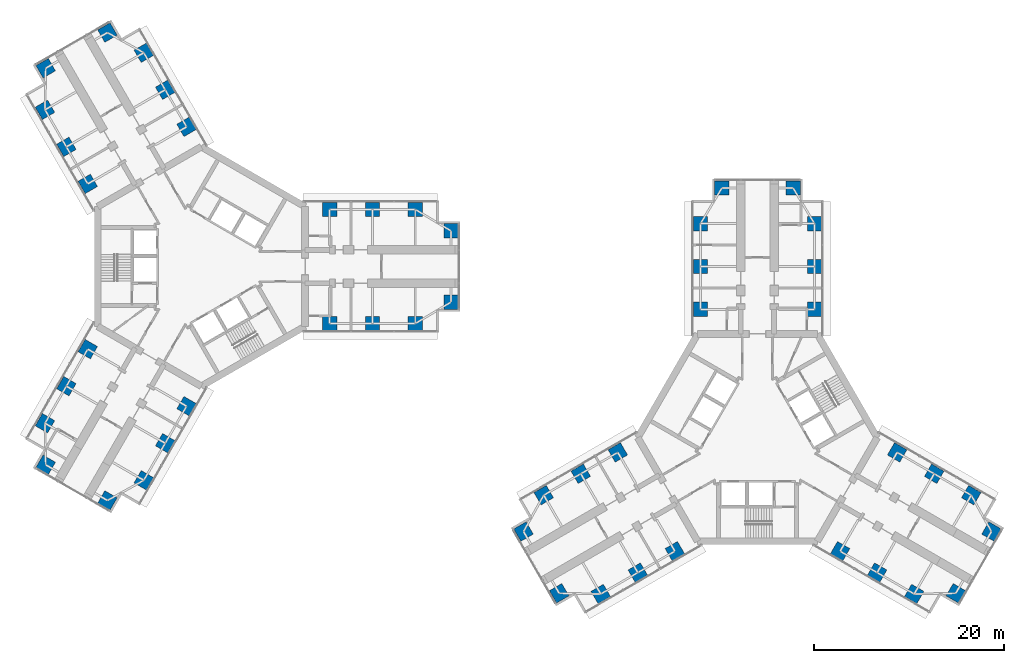
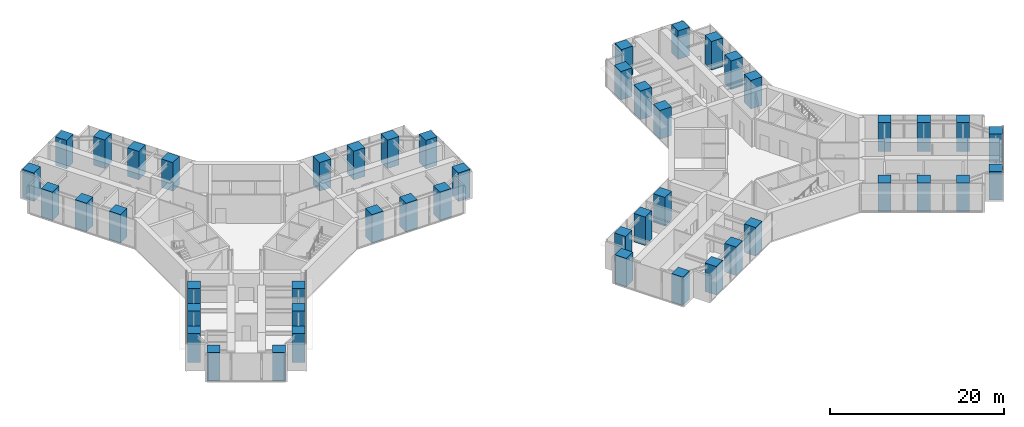
# One storey, part 1 of 23: 48 columns.
"""IFC4 building model written with IfcOpenShell, lengths in metres."""

from ifc_helpers import new_model, si_unit, direction, frame, origin, origin_2d, place, context, subcontext, project, spatial, rectangle, extrude, material, material_profile, profile_set, type_object, element, save


model = new_model("IFC4")

# Units and contexts
model_context = context("Model", 3, precision=1e-05, world=origin(), true_north=direction((0.0, 1.0)))
body_context = subcontext(model_context, "Body", "Model", "MODEL_VIEW")
ifc_project = project(units=[si_unit("LENGTHUNIT", "METRE"), si_unit("AREAUNIT", "SQUARE_METRE"), si_unit("VOLUMEUNIT", "CUBIC_METRE"), si_unit("PLANEANGLEUNIT", "RADIAN"), si_unit("MASSUNIT", "GRAM", prefix="KILO")], contexts=[model_context])

# Site, building, storey
site_placement = place(None, origin())
site = spatial("IfcSite", under=ifc_project, at=site_placement, CompositionType="ELEMENT")
building_placement = place(site_placement, origin())
building = spatial("IfcBuilding", under=site, at=building_placement, Name="Upepo Twin Towers", CompositionType="ELEMENT")
storey_placement = place(building_placement, frame((0.0, 0.0, 28.5)))
storey = spatial("IfcBuildingStorey", under=building, at=storey_placement, Name="L06", CompositionType="ELEMENT", Elevation=28.5)

# Columns
ifc_material = material(Name="Concrete C60/75", Category="concrete")
ifc_material_profile = material_profile(ifc_material, rectangle(XDim=1.5, YDim=1.5, at=origin_2d()), Name="RC 1500x1500")
ifc_profile_set = profile_set([ifc_material_profile], Name="Concrete C60/75")
column_type = type_object("IfcColumnType", Name="Tower column RC 1500x1500", PredefinedType="COLUMN", material=ifc_profile_set)
for number, where, z_axis, x_axis, name in (
    (1, (13.5, 6.0, 0.0), (0.0, 0.0, 1.0), (1.0, 0.0, 0.0), "T1 column AL135"),
    (2, (13.5, -6.0, 0.0), (0.0, 0.0, 1.0), (1.0, 0.0, 0.0), "T1 column AR135"),
    (3, (18.0, 6.0, 0.0), (0.0, 0.0, 1.0), (1.0, 0.0, 0.0), "T1 column AL180"),
    (4, (18.0, -6.0, 0.0), (0.0, 0.0, 1.0), (1.0, 0.0, 0.0), "T1 column AR180"),
    (5, (22.5, 6.0, 0.0), (0.0, 0.0, 1.0), (1.0, 0.0, 0.0), "T1 column AL225"),
    (6, (22.5, -6.0, 0.0), (0.0, 0.0, 1.0), (1.0, 0.0, 0.0), "T1 column AR225"),
    (7, (26.25, 3.75, 0.0), (0.0, 0.0, 1.0), (1.0, 0.0, 0.0), "T1 column ALN"),
    (8, (26.25, -3.75, 0.0), (0.0, 0.0, 1.0), (1.0, 0.0, 0.0), "T1 column ARN"),
    (9, (-11.946044921875, 8.69140625, 0.0), (0.0, 0.0, 1.0), (0.866025403784, 0.5, 0.0), "T1 column BL135"),
    (10, (-1.553955078125, 14.69140625, 0.0), (0.0, 0.0, 1.0), (0.866025403784, 0.5, 0.0), "T1 column BR135"),
    (11, (-14.196044921875, 12.58837890625, 0.0), (0.0, 0.0, 1.0), (0.866025403784, 0.5, 0.0), "T1 column BL180"),
    (12, (-3.803955078125, 18.58837890625, 0.0), (0.0, 0.0, 1.0), (0.866025403784, 0.5, 0.0), "T1 column BR180"),
    (13, (-16.446044921875, 16.485595703125, 0.0), (0.0, 0.0, 1.0), (0.866025403784, 0.5, 0.0), "T1 column BL225"),
    (14, (-6.053955078125, 22.485595703125, 0.0), (0.0, 0.0, 1.0), (0.866025403784, 0.5, 0.0), "T1 column BR225"),
    (15, (-16.37255859375, 20.858154296875, 0.0), (0.0, 0.0, 1.0), (0.866025403784, 0.5, 0.0), "T1 column BLN"),
    (16, (-9.87744140625, 24.608154296875, 0.0), (0.0, 0.0, 1.0), (0.866025403784, 0.5, 0.0), "T1 column BRN"),
    (17, (-1.553955078125, -14.69140625, 0.0), (0.0, 0.0, 1.0), (0.5, 0.866025403784, 0.0), "T1 column CL135"),
    (18, (-11.946044921875, -8.69140625, 0.0), (0.0, 0.0, 1.0), (0.5, 0.866025403784, 0.0), "T1 column CR135"),
    (19, (-3.803955078125, -18.58837890625, 0.0), (0.0, 0.0, 1.0), (0.5, 0.866025403784, 0.0), "T1 column CL180"),
    (20, (-14.196044921875, -12.58837890625, 0.0), (0.0, 0.0, 1.0), (0.5, 0.866025403784, 0.0), "T1 column CR180"),
    (21, (-6.053955078125, -22.485595703125, 0.0), (0.0, 0.0, 1.0), (0.5, 0.866025403784, 0.0), "T1 column CL225"),
    (22, (-16.446044921875, -16.485595703125, 0.0), (0.0, 0.0, 1.0), (0.5, 0.866025403784, 0.0), "T1 column CR225"),
    (23, (-9.87744140625, -24.608154296875, 0.0), (0.0, 0.0, 1.0), (0.5, 0.866025403784, 0.0), "T1 column CLN"),
    (24, (-16.37255859375, -20.858154296875, 0.0), (0.0, 0.0, 1.0), (0.5, 0.866025403784, 0.0), "T1 column CRN"),
    (25, (52.5, -4.5, 0.0), (0.0, 0.0, 1.0), (1.0, 0.0, 0.0), "T2 column AL135"),
    (26, (64.5, -4.5, 0.0), (0.0, 0.0, 1.0), (1.0, 0.0, 0.0), "T2 column AR135"),
    (27, (52.5, 0.0, 0.0), (0.0, 0.0, 1.0), (1.0, 0.0, 0.0), "T2 column AL180"),
    (28, (64.5, 0.0, 0.0), (0.0, 0.0, 1.0), (1.0, 0.0, 0.0), "T2 column AR180"),
    (29, (52.5, 4.5, 0.0), (0.0, 0.0, 1.0), (1.0, 0.0, 0.0), "T2 column AL225"),
    (30, (64.5, 4.5, 0.0), (0.0, 0.0, 1.0), (1.0, 0.0, 0.0), "T2 column AR225"),
    (31, (54.75, 8.25, 0.0), (0.0, 0.0, 1.0), (1.0, 0.0, 0.0), "T2 column ALN"),
    (32, (62.25, 8.25, 0.0), (0.0, 0.0, 1.0), (1.0, 0.0, 0.0), "T2 column ARN"),
    (33, (49.80859375, -29.946044921875, 0.0), (0.0, 0.0, 1.0), (0.866025403784, 0.5, 0.0), "T2 column BL135"),
    (34, (43.80859375, -19.553955078125, 0.0), (0.0, 0.0, 1.0), (0.866025403784, 0.5, 0.0), "T2 column BR135"),
    (35, (45.91162109375, -32.196044921875, 0.0), (0.0, 0.0, 1.0), (0.866025403784, 0.5, 0.0), "T2 column BL180"),
    (36, (39.91162109375, -21.803955078125, 0.0), (0.0, 0.0, 1.0), (0.866025403784, 0.5, 0.0), "T2 column BR180"),
    (37, (42.014404296875, -34.446044921875, 0.0), (0.0, 0.0, 1.0), (0.866025403784, 0.5, 0.0), "T2 column BL225"),
    (38, (36.014404296875, -24.053955078125, 0.0), (0.0, 0.0, 1.0), (0.866025403784, 0.5, 0.0), "T2 column BR225"),
    (39, (37.641845703125, -34.37255859375, 0.0), (0.0, 0.0, 1.0), (0.866025403784, 0.5, 0.0), "T2 column BLN"),
    (40, (33.891845703125, -27.87744140625, 0.0), (0.0, 0.0, 1.0), (0.866025403784, 0.5, 0.0), "T2 column BRN"),
    (41, (73.19140625, -19.553955078125, 0.0), (0.0, 0.0, 1.0), (0.5, 0.866025403784, 0.0), "T2 column CL135"),
    (42, (67.19140625, -29.946044921875, 0.0), (0.0, 0.0, 1.0), (0.5, 0.866025403784, 0.0), "T2 column CR135"),
    (43, (77.08837890625, -21.803955078125, 0.0), (0.0, 0.0, 1.0), (0.5, 0.866025403784, 0.0), "T2 column CL180"),
    (44, (71.08837890625, -32.196044921875, 0.0), (0.0, 0.0, 1.0), (0.5, 0.866025403784, 0.0), "T2 column CR180"),
    (45, (80.985595703125, -24.053955078125, 0.0), (0.0, 0.0, 1.0), (0.5, 0.866025403784, 0.0), "T2 column CL225"),
    (46, (74.985595703125, -34.446044921875, 0.0), (0.0, 0.0, 1.0), (0.5, 0.866025403784, 0.0), "T2 column CR225"),
    (47, (83.108154296875, -27.87744140625, 0.0), (0.0, 0.0, 1.0), (0.5, 0.866025403784, 0.0), "T2 column CLN"),
    (48, (79.358154296875, -34.37255859375, 0.0), (0.0, 0.0, 1.0), (0.5, 0.866025403784, 0.0), "T2 column CRN"),
):
    element("IfcColumn", number, at=place(storey_placement, frame(where, z_axis=z_axis, x_axis=x_axis)), inside=storey, type_object=column_type, Name=name, PredefinedType="COLUMN", context=body_context, shape_type="SweptSolid", body=[
        extrude(rectangle(XDim=1.5, YDim=1.5, at=origin_2d()), origin(), (0.0, 0.0, 1.0), 4.0),
    ])

save(model, "model.ifc")
